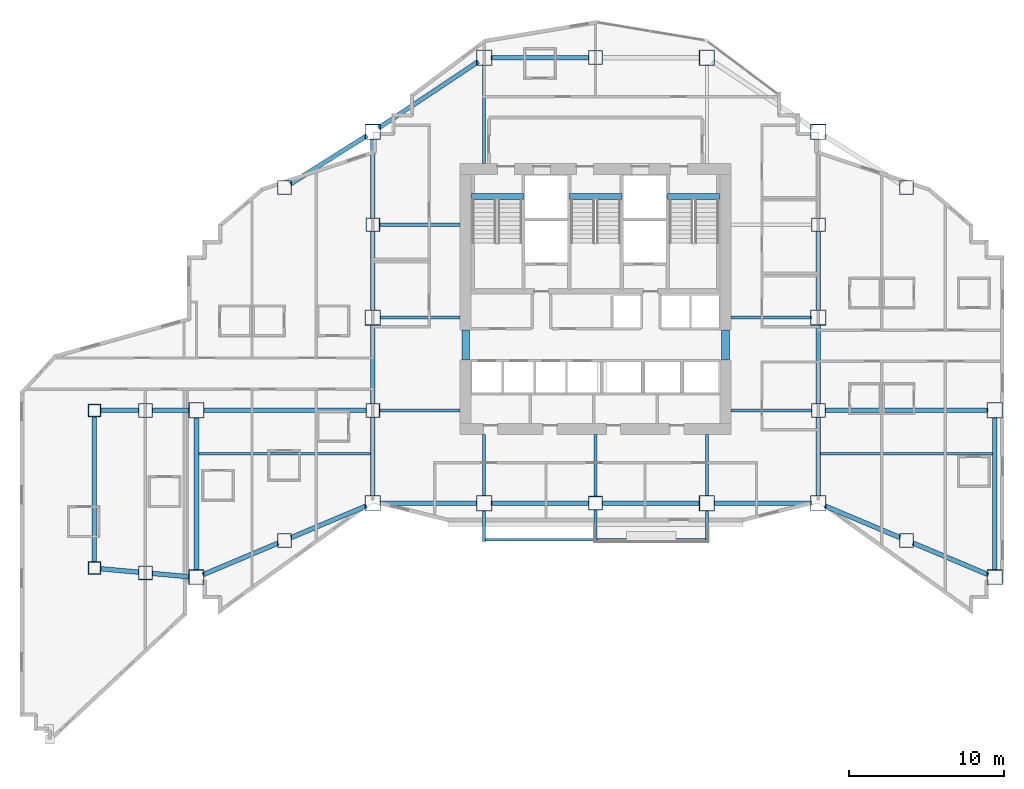
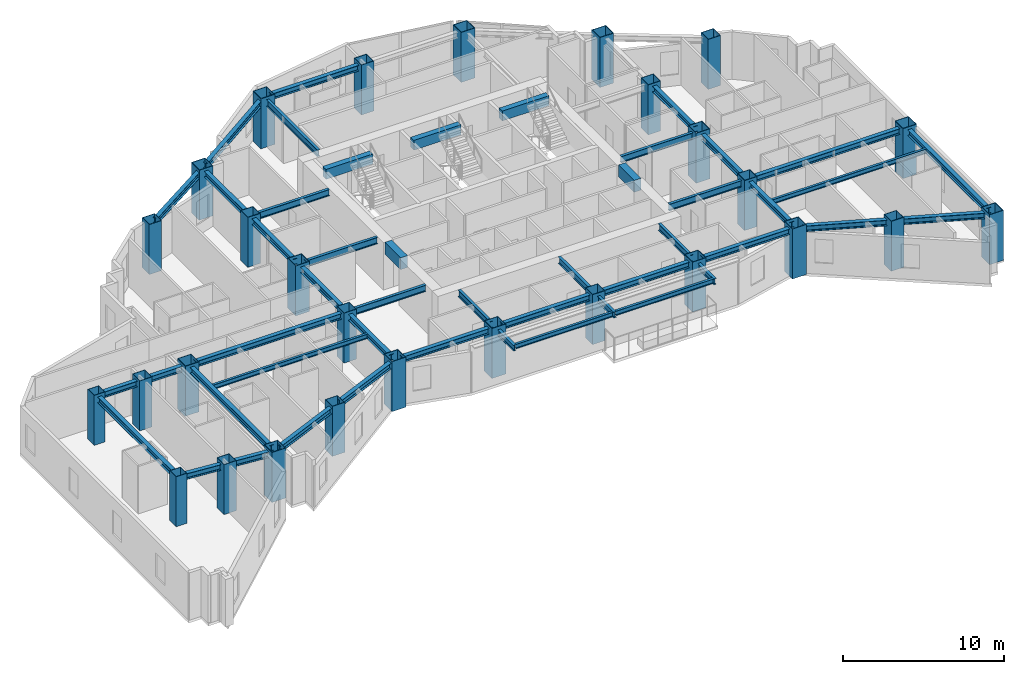
# One storey, part 1 of 15: 48 beams, 28 columns.
"""IFC4 building model written with IfcOpenShell, lengths in metres."""

from ifc_helpers import new_model, si_unit, direction, frame, origin, origin_2d, place, context, subcontext, project, spatial, rectangle, hollow_rectangle, i_section, extrude, material, material_profile, profile_set, type_object, element, save


model = new_model("IFC4")

# Units and contexts
model_context = context("Model", 3, precision=1e-05, world=origin(), true_north=direction((0.0, 1.0)))
body_context = subcontext(model_context, "Body", "Model", "MODEL_VIEW")
ifc_project = project(units=[si_unit("LENGTHUNIT", "METRE"), si_unit("AREAUNIT", "SQUARE_METRE"), si_unit("VOLUMEUNIT", "CUBIC_METRE"), si_unit("PLANEANGLEUNIT", "RADIAN"), si_unit("MASSUNIT", "GRAM", prefix="KILO")], contexts=[model_context])

# Site, building, storey
site_placement = place(None, origin())
site = spatial("IfcSite", under=ifc_project, at=site_placement, CompositionType="ELEMENT")
building_placement = place(site_placement, origin())
building = spatial("IfcBuilding", under=site, at=building_placement, Name="Haolan Belvedere Tower", CompositionType="ELEMENT")
storey_placement = place(building_placement, frame((0.0, 0.0, 152.39990234375)))
storey = spatial("IfcBuildingStorey", under=building, at=storey_placement, Name="L38", CompositionType="ELEMENT", Elevation=152.39990234375)

# Columns
ifc_material_1 = material(Name="Steel Q420GJC", Category="steel")
ifc_material_profile_1 = material_profile(ifc_material_1, hollow_rectangle(XDim=1.0, YDim=1.0, WallThickness=0.0380859375, at=origin_2d()), Name="Steel Q420GJC")
ifc_profile_set_1 = profile_set([ifc_material_profile_1], Name="Steel Q420GJC")
column_type_1 = type_object("IfcColumnType", Name="COL-BOX1000x1000x38", PredefinedType="COLUMN", material=ifc_profile_set_1)
for number, where, z_axis, x_axis, name in (
    (1, (24.0, 21.60009765625, 0.0), (0.0, 0.0, 1.0), (1.0, 0.0, 0.0), "L38 column MC-T3-SW (BOX1000x1000x38)"),
    (2, (24.0, 33.60009765625, 0.0), (0.0, 0.0, 1.0), (1.0, 0.0, 0.0), "L38 column MC-T3-MW (BOX1000x1000x38)"),
    (3, (24.0, 45.60009765625, 0.0), (0.0, 0.0, 1.0), (1.0, 0.0, 0.0), "L38 column MC-T3-NW (BOX1000x1000x38)"),
    (4, (52.800048828125, 21.60009765625, 0.0), (0.0, 0.0, 1.0), (1.0, 0.0, 0.0), "L38 column MC-T3-SE (BOX1000x1000x38)"),
    (5, (52.800048828125, 33.60009765625, 0.0), (0.0, 0.0, 1.0), (1.0, 0.0, 0.0), "L38 column MC-T3-ME (BOX1000x1000x38)"),
    (6, (52.800048828125, 45.60009765625, 0.0), (0.0, 0.0, 1.0), (1.0, 0.0, 0.0), "L38 column MC-T3-NE (BOX1000x1000x38)"),
    (7, (31.199951171875, 21.60009765625, 0.0), (0.0, 0.0, 1.0), (1.0, 0.0, 0.0), "L38 column MC-T3-S1 (BOX1000x1000x38)"),
    (8, (45.60009765625, 21.60009765625, 0.0), (0.0, 0.0, 1.0), (1.0, 0.0, 0.0), "L38 column MC-T3-S2 (BOX1000x1000x38)"),
    (9, (31.199951171875, 50.39990234375, 0.0), (0.0, 0.0, 1.0), (1.0, 0.0, 0.0), "L38 column MC-T3-N1 (BOX1000x1000x38)"),
    (10, (45.60009765625, 50.39990234375, 0.0), (0.0, 0.0, 1.0), (1.0, 0.0, 0.0), "L38 column MC-T3-N2 (BOX1000x1000x38)"),
    (11, (12.60009765625, 16.800048828125, 0.0), (0.0, 0.0, 1.0), (1.0, 0.0, 0.0), "L38 column MC-T2-SW (BOX1000x1000x38)"),
    (12, (12.60009765625, 27.60009765625, 0.0), (0.0, 0.0, 1.0), (1.0, 0.0, 0.0), "L38 column MC-T2-MW (BOX1000x1000x38)"),
    (13, (64.199951171875, 16.800048828125, 0.0), (0.0, 0.0, 1.0), (1.0, 0.0, 0.0), "L38 column MC-T4-SE (BOX1000x1000x38)"),
    (14, (64.199951171875, 27.60009765625, 0.0), (0.0, 0.0, 1.0), (1.0, 0.0, 0.0), "L38 column MC-T4-ME (BOX1000x1000x38)"),
):
    element("IfcColumn", number, at=place(storey_placement, frame(where, z_axis=z_axis, x_axis=x_axis)), inside=storey, type_object=column_type_1, Name=name, PredefinedType="COLUMN", context=body_context, shape_type="SweptSolid", body=[
        extrude(hollow_rectangle(XDim=1.0, YDim=1.0, WallThickness=0.0380859375, at=origin_2d()), origin(), (0.0, 0.0, 1.0), 3.800048828125),
    ])
ifc_material_2 = material(Name="Steel Q390GJC", Category="steel")
ifc_material_profile_2 = material_profile(ifc_material_2, hollow_rectangle(XDim=0.800048828125, YDim=0.800048828125, WallThickness=0.030029296875, at=origin_2d()), Name="Steel Q390GJC")
ifc_profile_set_2 = profile_set([ifc_material_profile_2], Name="Steel Q390GJC")
column_type_2 = type_object("IfcColumnType", Name="COL-BOX800x800x30", PredefinedType="COLUMN", material=ifc_profile_set_2)
for number, where, z_axis, x_axis, name in (
    (15, (6.0, 17.39990234375, 0.0), (0.0, 0.0, 1.0), (1.0, 0.0, 0.0), "L38 column MC-T1-SW (BOX800x800x30)"),
    (16, (6.0, 27.60009765625, 0.0), (0.0, 0.0, 1.0), (1.0, 0.0, 0.0), "L38 column MC-T1-NW (BOX800x800x30)"),
):
    element("IfcColumn", number, at=place(storey_placement, frame(where, z_axis=z_axis, x_axis=x_axis)), inside=storey, type_object=column_type_2, Name=name, PredefinedType="COLUMN", context=body_context, shape_type="SweptSolid", body=[
        extrude(hollow_rectangle(XDim=0.800048828125, YDim=0.800048828125, WallThickness=0.030029296875, at=origin_2d()), origin(), (0.0, 0.0, 1.0), 3.800048828125),
    ])
ifc_material_profile_3 = material_profile(ifc_material_2, hollow_rectangle(XDim=0.89990234375, YDim=0.89990234375, WallThickness=0.033935546875, at=origin_2d()), Name="Steel Q390GJC")
ifc_profile_set_3 = profile_set([ifc_material_profile_3], Name="Steel Q390GJC")
column_type_3 = type_object("IfcColumnType", Name="COL-BOX900x900x34", PredefinedType="COLUMN", material=ifc_profile_set_3)
for number, where, z_axis, x_axis, name in (
    (17, (24.0, 27.60009765625, 0.0), (0.0, 0.0, 1.0), (1.0, 0.0, 0.0), "L38 column TC-T3-W1 (BOX900x900x34)"),
    (18, (24.0, 39.60009765625, 0.0), (0.0, 0.0, 1.0), (1.0, 0.0, 0.0), "L38 column TC-T3-W2 (BOX900x900x34)"),
    (19, (52.800048828125, 27.60009765625, 0.0), (0.0, 0.0, 1.0), (1.0, 0.0, 0.0), "L38 column TC-T3-E1 (BOX900x900x34)"),
    (20, (52.800048828125, 39.60009765625, 0.0), (0.0, 0.0, 1.0), (1.0, 0.0, 0.0), "L38 column TC-T3-E2 (BOX900x900x34)"),
    (21, (38.39990234375, 21.60009765625, 0.0), (0.0, 0.0, 1.0), (1.0, 0.0, 0.0), "L38 column TC-T3-SM (BOX900x900x34)"),
    (22, (38.39990234375, 50.39990234375, 0.0), (0.0, 0.0, 1.0), (1.0, 0.0, 0.0), "L38 column TC-T3-NM (BOX900x900x34)"),
    (23, (18.300048828125, 19.199951171875, 0.0), (0.0, 0.0, 1.0), (1.0, 0.0, 0.0), "L38 column TC-T2-S1 (BOX900x900x34)"),
    (24, (18.300048828125, 42.0, 0.0), (0.0, 0.0, 1.0), (1.0, 0.0, 0.0), "L38 column TC-T2-N1 (BOX900x900x34)"),
    (25, (58.5, 19.199951171875, 0.0), (0.0, 0.0, 1.0), (1.0, 0.0, 0.0), "L38 column TC-T4-S1 (BOX900x900x34)"),
    (26, (58.5, 42.0, 0.0), (0.0, 0.0, 1.0), (1.0, 0.0, 0.0), "L38 column TC-T4-N1 (BOX900x900x34)"),
    (27, (9.300048828125, 17.10009765625, 0.0), (0.0, 0.0, 1.0), (1.0, 0.0, 0.0), "L38 column TC-T1-M1 (BOX900x900x34)"),
    (28, (9.300048828125, 27.60009765625, 0.0), (0.0, 0.0, 1.0), (1.0, 0.0, 0.0), "L38 column TC-T1-M2 (BOX900x900x34)"),
):
    element("IfcColumn", number, at=place(storey_placement, frame(where, z_axis=z_axis, x_axis=x_axis)), inside=storey, type_object=column_type_3, Name=name, PredefinedType="COLUMN", context=body_context, shape_type="SweptSolid", body=[
        extrude(hollow_rectangle(XDim=0.89990234375, YDim=0.89990234375, WallThickness=0.033935546875, at=origin_2d()), origin(), (0.0, 0.0, 1.0), 3.800048828125),
    ])

# Beams
ifc_material_3 = material(Name="Steel Q355B", Category="steel")
ifc_material_profile_4 = material_profile(ifc_material_3, i_section(OverallWidth=0.300048828125, OverallDepth=0.43994140625, WebThickness=0.010986328125, FlangeThickness=0.01806640625, FilletRadius=0.02392578125, at=origin_2d()), Name="Steel Q355B")
ifc_profile_set_4 = profile_set([ifc_material_profile_4], Name="Steel Q355B")
beam_type_1 = type_object("IfcBeamType", Name="BM-HM440x300x11x18", PredefinedType="SPANDREL", material=ifc_profile_set_4)
for number, where, z_axis, x_axis, name in (
    (29, (24.0, 22.050048828125, 3.380126953125), (0.0, 1.0, 0.0), (-1.0, 0.0, 0.0), "L38 spandrel girder MC-T3-SW-TC-T3-W1"),
    (30, (24.0, 28.050048828125, 3.380126953125), (0.0, 1.0, 0.0), (-1.0, 0.0, 0.0), "L38 spandrel girder TC-T3-W1-MC-T3-MW"),
    (31, (24.0, 34.050048828125, 3.380126953125), (0.0, 1.0, 0.0), (-1.0, 0.0, 0.0), "L38 spandrel girder MC-T3-MW-TC-T3-W2"),
    (32, (24.0, 40.050048828125, 3.380126953125), (0.0, 1.0, 0.0), (-1.0, 0.0, 0.0), "L38 spandrel girder TC-T3-W2-MC-T3-NW"),
    (33, (52.800048828125, 22.050048828125, 3.380126953125), (0.0, 1.0, 0.0), (-1.0, 0.0, 0.0), "L38 spandrel girder MC-T3-SE-TC-T3-E1"),
    (34, (52.800048828125, 28.050048828125, 3.380126953125), (0.0, 1.0, 0.0), (-1.0, 0.0, 0.0), "L38 spandrel girder TC-T3-E1-MC-T3-ME"),
    (35, (52.800048828125, 34.050048828125, 3.380126953125), (0.0, 1.0, 0.0), (-1.0, 0.0, 0.0), "L38 spandrel girder MC-T3-ME-TC-T3-E2"),
):
    element("IfcBeam", number, at=place(storey_placement, frame(where, z_axis=z_axis, x_axis=x_axis)), inside=storey, type_object=beam_type_1, Name=name, PredefinedType="SPANDREL", context=body_context, shape_type="SweptSolid", body=[
        extrude(i_section(OverallWidth=0.300048828125, OverallDepth=0.43994140625, WebThickness=0.010986328125, FlangeThickness=0.01806640625, FilletRadius=0.02392578125, at=origin_2d()), origin(), (0.0, 0.0, 1.0), 5.099853515625),
    ])
for number, where, z_axis, x_axis, name in (
    (36, (24.449951171875, 21.60009765625, 3.380126953125), (1.0, 0.0, 0.0), (0.0, 1.0, 0.0), "L38 spandrel girder MC-T3-SW-MC-T3-S1"),
    (37, (31.64990234375, 21.60009765625, 3.380126953125), (1.0, 0.0, 0.0), (0.0, 1.0, 0.0), "L38 spandrel girder MC-T3-S1-TC-T3-SM"),
):
    element("IfcBeam", number, at=place(storey_placement, frame(where, z_axis=z_axis, x_axis=x_axis)), inside=storey, type_object=beam_type_1, Name=name, PredefinedType="SPANDREL", context=body_context, shape_type="SweptSolid", body=[
        extrude(i_section(OverallWidth=0.300048828125, OverallDepth=0.43994140625, WebThickness=0.010986328125, FlangeThickness=0.01806640625, FilletRadius=0.02392578125, at=origin_2d()), origin(), (0.0, 0.0, 1.0), 6.300048828125),
    ])
beam_1_placement = place(storey_placement, frame((38.85009765625, 21.60009765625, 3.380126953125), z_axis=(1.0, 0.0, 0.0), x_axis=(0.0, 1.0, 0.0)))
element("IfcBeam", 38, at=beam_1_placement, inside=storey, type_object=beam_type_1, Name="L38 spandrel girder TC-T3-SM-MC-T3-S2", PredefinedType="SPANDREL", context=body_context, shape_type="SweptSolid", body=[
    extrude(i_section(OverallWidth=0.300048828125, OverallDepth=0.43994140625, WebThickness=0.010986328125, FlangeThickness=0.01806640625, FilletRadius=0.02392578125, at=origin_2d()), origin(), (0.0, 0.0, 1.0), 6.2998046875),
])
beam_2_placement = place(storey_placement, frame((46.050048828125, 21.60009765625, 3.380126953125), z_axis=(1.0, 0.0, 0.0), x_axis=(0.0, 1.0, 0.0)))
element("IfcBeam", 39, at=beam_2_placement, inside=storey, type_object=beam_type_1, Name="L38 spandrel girder MC-T3-S2-MC-T3-SE", PredefinedType="SPANDREL", context=body_context, shape_type="SweptSolid", body=[
    extrude(i_section(OverallWidth=0.300048828125, OverallDepth=0.43994140625, WebThickness=0.010986328125, FlangeThickness=0.01806640625, FilletRadius=0.02392578125, at=origin_2d()), origin(), (0.0, 0.0, 1.0), 6.300048828125),
])
beam_3_placement = place(storey_placement, frame((24.37451171875, 45.849609375, 3.380126953125), z_axis=(0.832050294338, 0.554700196225, 0.0), x_axis=(-0.554700196225, 0.832050294338, 0.0)))
element("IfcBeam", 40, at=beam_3_placement, inside=storey, type_object=beam_type_1, Name="L38 spandrel girder MC-T3-NW-MC-T3-N1", PredefinedType="SPANDREL", context=body_context, shape_type="SweptSolid", body=[
    extrude(i_section(OverallWidth=0.300048828125, OverallDepth=0.43994140625, WebThickness=0.010986328125, FlangeThickness=0.01806640625, FilletRadius=0.02392578125, at=origin_2d()), origin(), (0.0, 0.0, 1.0), 7.75341796875),
])
beam_4_placement = place(storey_placement, frame((31.64990234375, 50.39990234375, 3.380126953125), z_axis=(1.0, 0.0, 0.0), x_axis=(0.0, 1.0, 0.0)))
element("IfcBeam", 41, at=beam_4_placement, inside=storey, type_object=beam_type_1, Name="L38 spandrel girder MC-T3-N1-TC-T3-NM", PredefinedType="SPANDREL", context=body_context, shape_type="SweptSolid", body=[
    extrude(i_section(OverallWidth=0.300048828125, OverallDepth=0.43994140625, WebThickness=0.010986328125, FlangeThickness=0.01806640625, FilletRadius=0.02392578125, at=origin_2d()), origin(), (0.0, 0.0, 1.0), 6.300048828125),
])
beam_5_placement = place(storey_placement, frame((12.60009765625, 17.25, 3.380126953125), z_axis=(0.0, 1.0, 0.0), x_axis=(-1.0, 0.0, 0.0)))
element("IfcBeam", 42, at=beam_5_placement, inside=storey, type_object=beam_type_1, Name="L38 spandrel girder MC-T2-SW-MC-T2-MW", PredefinedType="SPANDREL", context=body_context, shape_type="SweptSolid", body=[
    extrude(i_section(OverallWidth=0.300048828125, OverallDepth=0.43994140625, WebThickness=0.010986328125, FlangeThickness=0.01806640625, FilletRadius=0.02392578125, at=origin_2d()), origin(), (0.0, 0.0, 1.0), 9.89990234375),
])
beam_6_placement = place(storey_placement, frame((13.0146484375, 16.974609375, 3.380126953125), z_axis=(0.921635375138, 0.388057000058, 0.0), x_axis=(-0.388057000058, 0.921635375138, 0.0)))
element("IfcBeam", 43, at=beam_6_placement, inside=storey, type_object=beam_type_1, Name="L38 spandrel girder MC-T2-SW-TC-T2-S1", PredefinedType="SPANDREL", context=body_context, shape_type="SweptSolid", body=[
    extrude(i_section(OverallWidth=0.300048828125, OverallDepth=0.43994140625, WebThickness=0.010986328125, FlangeThickness=0.01806640625, FilletRadius=0.02392578125, at=origin_2d()), origin(), (0.0, 0.0, 1.0), 5.28466796875),
])
beam_7_placement = place(storey_placement, frame((18.71484375, 19.37451171875, 3.380126953125), z_axis=(0.92162841793, 0.388073523014, 0.0), x_axis=(-0.388073523014, 0.92162841793, 0.0)))
element("IfcBeam", 44, at=beam_7_placement, inside=storey, type_object=beam_type_1, Name="L38 spandrel girder TC-T2-S1-MC-T3-SW", PredefinedType="SPANDREL", context=body_context, shape_type="SweptSolid", body=[
    extrude(i_section(OverallWidth=0.300048828125, OverallDepth=0.43994140625, WebThickness=0.010986328125, FlangeThickness=0.01806640625, FilletRadius=0.02392578125, at=origin_2d()), origin(), (0.0, 0.0, 1.0), 5.284423828125),
])
beam_8_placement = place(storey_placement, frame((18.680419921875, 42.240234375, 3.380126953125), z_axis=(0.845497840649, 0.533978839898, 0.0), x_axis=(-0.533978839898, 0.845497840649, 0.0)))
element("IfcBeam", 45, at=beam_8_placement, inside=storey, type_object=beam_type_1, Name="L38 spandrel girder TC-T2-N1-MC-T3-NW", PredefinedType="SPANDREL", context=body_context, shape_type="SweptSolid", body=[
    extrude(i_section(OverallWidth=0.300048828125, OverallDepth=0.43994140625, WebThickness=0.010986328125, FlangeThickness=0.01806640625, FilletRadius=0.02392578125, at=origin_2d()), origin(), (0.0, 0.0, 1.0), 5.841796875),
])
beam_9_placement = place(storey_placement, frame((13.050048828125, 27.60009765625, 3.380126953125), z_axis=(1.0, 0.0, 0.0), x_axis=(0.0, 1.0, 0.0)))
element("IfcBeam", 46, at=beam_9_placement, inside=storey, type_object=beam_type_1, Name="L38 spandrel girder MC-T2-MW-TC-T3-W1", PredefinedType="SPANDREL", context=body_context, shape_type="SweptSolid", body=[
    extrude(i_section(OverallWidth=0.300048828125, OverallDepth=0.43994140625, WebThickness=0.010986328125, FlangeThickness=0.01806640625, FilletRadius=0.02392578125, at=origin_2d()), origin(), (0.0, 0.0, 1.0), 10.5),
])
beam_10_placement = place(storey_placement, frame((64.199951171875, 17.25, 3.380126953125), z_axis=(0.0, 1.0, 0.0), x_axis=(-1.0, 0.0, 0.0)))
element("IfcBeam", 47, at=beam_10_placement, inside=storey, type_object=beam_type_1, Name="L38 spandrel girder MC-T4-SE-MC-T4-ME", PredefinedType="SPANDREL", context=body_context, shape_type="SweptSolid", body=[
    extrude(i_section(OverallWidth=0.300048828125, OverallDepth=0.43994140625, WebThickness=0.010986328125, FlangeThickness=0.01806640625, FilletRadius=0.02392578125, at=origin_2d()), origin(), (0.0, 0.0, 1.0), 9.89990234375),
])
for number, where, z_axis, x_axis, name in (
    (48, (53.21484375, 21.42529296875, 3.380126953125), (0.92162841793, -0.388073523014, 0.0), (0.388073523014, 0.92162841793, 0.0), "L38 spandrel girder MC-T3-SE-TC-T4-S1"),
    (49, (58.914794921875, 19.025390625, 3.380126953125), (0.92162841793, -0.388073523014, 0.0), (0.388073523014, 0.92162841793, 0.0), "L38 spandrel girder TC-T4-S1-MC-T4-SE"),
):
    element("IfcBeam", number, at=place(storey_placement, frame(where, z_axis=z_axis, x_axis=x_axis)), inside=storey, type_object=beam_type_1, Name=name, PredefinedType="SPANDREL", context=body_context, shape_type="SweptSolid", body=[
        extrude(i_section(OverallWidth=0.300048828125, OverallDepth=0.43994140625, WebThickness=0.010986328125, FlangeThickness=0.01806640625, FilletRadius=0.02392578125, at=origin_2d()), origin(), (0.0, 0.0, 1.0), 5.284423828125),
    ])
beam_11_placement = place(storey_placement, frame((53.25, 27.60009765625, 3.380126953125), z_axis=(1.0, 0.0, 0.0), x_axis=(0.0, 1.0, 0.0)))
element("IfcBeam", 50, at=beam_11_placement, inside=storey, type_object=beam_type_1, Name="L38 spandrel girder TC-T3-E1-MC-T4-ME", PredefinedType="SPANDREL", context=body_context, shape_type="SweptSolid", body=[
    extrude(i_section(OverallWidth=0.300048828125, OverallDepth=0.43994140625, WebThickness=0.010986328125, FlangeThickness=0.01806640625, FilletRadius=0.02392578125, at=origin_2d()), origin(), (0.0, 0.0, 1.0), 10.5),
])
beam_12_placement = place(storey_placement, frame((6.0, 17.800048828125, 3.380126953125), z_axis=(0.0, 1.0, 0.0), x_axis=(-1.0, 0.0, 0.0)))
element("IfcBeam", 51, at=beam_12_placement, inside=storey, type_object=beam_type_1, Name="L38 spandrel girder MC-T1-SW-MC-T1-NW", PredefinedType="SPANDREL", context=body_context, shape_type="SweptSolid", body=[
    extrude(i_section(OverallWidth=0.300048828125, OverallDepth=0.43994140625, WebThickness=0.010986328125, FlangeThickness=0.01806640625, FilletRadius=0.02392578125, at=origin_2d()), origin(), (0.0, 0.0, 1.0), 9.39990234375),
])
beam_13_placement = place(storey_placement, frame((6.3984375, 17.36376953125, 3.380126953125), z_axis=(0.995889143855, -0.090580423672, 0.0), x_axis=(0.090580423672, 0.995889143855, 0.0)))
element("IfcBeam", 52, at=beam_13_placement, inside=storey, type_object=beam_type_1, Name="L38 spandrel girder MC-T1-SW-TC-T1-M1", PredefinedType="SPANDREL", context=body_context, shape_type="SweptSolid", body=[
    extrude(i_section(OverallWidth=0.300048828125, OverallDepth=0.43994140625, WebThickness=0.010986328125, FlangeThickness=0.01806640625, FilletRadius=0.02392578125, at=origin_2d()), origin(), (0.0, 0.0, 1.0), 2.46337890625),
])
beam_14_placement = place(storey_placement, frame((9.748046875, 17.059326171875, 3.380126953125), z_axis=(0.9958940355, -0.090526626221, 0.0), x_axis=(0.090526626221, 0.9958940355, 0.0)))
element("IfcBeam", 53, at=beam_14_placement, inside=storey, type_object=beam_type_1, Name="L38 spandrel girder TC-T1-M1-MC-T2-SW", PredefinedType="SPANDREL", context=body_context, shape_type="SweptSolid", body=[
    extrude(i_section(OverallWidth=0.300048828125, OverallDepth=0.43994140625, WebThickness=0.010986328125, FlangeThickness=0.01806640625, FilletRadius=0.02392578125, at=origin_2d()), origin(), (0.0, 0.0, 1.0), 2.413818359375),
])
beam_15_placement = place(storey_placement, frame((6.39990234375, 27.60009765625, 3.380126953125), z_axis=(1.0, 0.0, 0.0), x_axis=(0.0, 1.0, 0.0)))
element("IfcBeam", 54, at=beam_15_placement, inside=storey, type_object=beam_type_1, Name="L38 spandrel girder MC-T1-NW-TC-T1-M2", PredefinedType="SPANDREL", context=body_context, shape_type="SweptSolid", body=[
    extrude(i_section(OverallWidth=0.300048828125, OverallDepth=0.43994140625, WebThickness=0.010986328125, FlangeThickness=0.01806640625, FilletRadius=0.02392578125, at=origin_2d()), origin(), (0.0, 0.0, 1.0), 2.4501953125),
])
beam_16_placement = place(storey_placement, frame((9.75, 27.60009765625, 3.380126953125), z_axis=(1.0, 0.0, 0.0), x_axis=(0.0, 1.0, 0.0)))
element("IfcBeam", 55, at=beam_16_placement, inside=storey, type_object=beam_type_1, Name="L38 spandrel girder TC-T1-M2-MC-T2-MW", PredefinedType="SPANDREL", context=body_context, shape_type="SweptSolid", body=[
    extrude(i_section(OverallWidth=0.300048828125, OverallDepth=0.43994140625, WebThickness=0.010986328125, FlangeThickness=0.01806640625, FilletRadius=0.02392578125, at=origin_2d()), origin(), (0.0, 0.0, 1.0), 2.39990234375),
])
ifc_material_profile_5 = material_profile(ifc_material_3, i_section(OverallWidth=0.175048828125, OverallDepth=0.35009765625, WebThickness=0.007080078125, FlangeThickness=0.010986328125, FilletRadius=0.012939453125, at=origin_2d()), Name="Steel Q355B")
ifc_profile_set_5 = profile_set([ifc_material_profile_5], Name="Steel Q355B")
beam_type_2 = type_object("IfcBeamType", Name="BM-HN350x175x7x11", PredefinedType="JOIST", material=ifc_profile_set_5)
for number, where, z_axis, x_axis, name in (
    (56, (12.75, 24.800048828125, 3.425048828125), (1.0, 0.0, 0.0), (0.0, 1.0, 0.0), "L38 west wing floor joist 1"),
    (57, (52.949951171875, 24.800048828125, 3.425048828125), (1.0, 0.0, 0.0), (0.0, 1.0, 0.0), "L38 east wing floor joist 1"),
):
    element("IfcBeam", number, at=place(storey_placement, frame(where, z_axis=z_axis, x_axis=x_axis)), inside=storey, type_object=beam_type_2, Name=name, PredefinedType="JOIST", context=body_context, shape_type="SweptSolid", body=[
        extrude(i_section(OverallWidth=0.175048828125, OverallDepth=0.35009765625, WebThickness=0.007080078125, FlangeThickness=0.010986328125, FilletRadius=0.012939453125, at=origin_2d()), origin(), (0.0, 0.0, 1.0), 11.10009765625),
    ])
for number, where, z_axis, x_axis, name in (
    (58, (31.300048828125, 19.239990234375, 3.39501953125), (1.0, 0.0, 0.0), (0.0, 1.0, 0.0), "L39 tree-balcony front trimmer beam 1"),
    (59, (38.5, 19.239990234375, 3.39501953125), (1.0, 0.0, 0.0), (0.0, 1.0, 0.0), "L39 tree-balcony front trimmer beam 2"),
):
    element("IfcBeam", number, at=place(storey_placement, frame(where, z_axis=z_axis, x_axis=x_axis)), inside=storey, type_object=beam_type_2, Name=name, PredefinedType="BEAM", context=body_context, shape_type="SweptSolid", body=[
        extrude(i_section(OverallWidth=0.175048828125, OverallDepth=0.35009765625, WebThickness=0.007080078125, FlangeThickness=0.010986328125, FilletRadius=0.012939453125, at=origin_2d()), origin(), (0.0, 0.0, 1.0), 7.0),
    ])
ifc_material_profile_6 = material_profile(ifc_material_3, i_section(OverallWidth=0.199951171875, OverallDepth=0.449951171875, WebThickness=0.009033203125, FlangeThickness=0.013916015625, FilletRadius=0.01611328125, at=origin_2d()), Name="Steel Q355B")
ifc_profile_set_6 = profile_set([ifc_material_profile_6], Name="Steel Q355B")
beam_type_3 = type_object("IfcBeamType", Name="BM-HN450x200x9x14", PredefinedType="BEAM", material=ifc_profile_set_6)
beam_17_placement = place(storey_placement, frame((31.199951171875, 21.10009765625, 3.34521484375), z_axis=(0.0, -1.0, 0.0), x_axis=(1.0, 0.0, 0.0)))
element("IfcBeam", 60, at=beam_17_placement, inside=storey, type_object=beam_type_3, Name="L39 tree-balcony column cantilever MC-T3-S1", PredefinedType="BEAM", context=body_context, shape_type="SweptSolid", body=[
    extrude(i_section(OverallWidth=0.199951171875, OverallDepth=0.449951171875, WebThickness=0.009033203125, FlangeThickness=0.013916015625, FilletRadius=0.01611328125, at=origin_2d()), origin(), (0.0, 0.0, 1.0), 1.960205078125),
])
beam_18_placement = place(storey_placement, frame((38.39990234375, 21.14990234375, 3.34521484375), z_axis=(0.0, -1.0, 0.0), x_axis=(1.0, 0.0, 0.0)))
element("IfcBeam", 61, at=beam_18_placement, inside=storey, type_object=beam_type_3, Name="L39 tree-balcony column cantilever TC-T3-SM", PredefinedType="BEAM", context=body_context, shape_type="SweptSolid", body=[
    extrude(i_section(OverallWidth=0.199951171875, OverallDepth=0.449951171875, WebThickness=0.009033203125, FlangeThickness=0.013916015625, FilletRadius=0.01611328125, at=origin_2d()), origin(), (0.0, 0.0, 1.0), 2.010009765625),
])
beam_19_placement = place(storey_placement, frame((45.60009765625, 21.10009765625, 3.34521484375), z_axis=(0.0, -1.0, 0.0), x_axis=(1.0, 0.0, 0.0)))
element("IfcBeam", 62, at=beam_19_placement, inside=storey, type_object=beam_type_3, Name="L39 tree-balcony column cantilever MC-T3-S2", PredefinedType="BEAM", context=body_context, shape_type="SweptSolid", body=[
    extrude(i_section(OverallWidth=0.199951171875, OverallDepth=0.449951171875, WebThickness=0.009033203125, FlangeThickness=0.013916015625, FilletRadius=0.01611328125, at=origin_2d()), origin(), (0.0, 0.0, 1.0), 1.960205078125),
])
ifc_material_profile_7 = material_profile(ifc_material_3, i_section(OverallWidth=0.199951171875, OverallDepth=0.5, WebThickness=0.010009765625, FlangeThickness=0.01611328125, FilletRadius=0.02001953125, at=origin_2d()), Name="Steel Q355B")
ifc_profile_set_7 = profile_set([ifc_material_profile_7], Name="Steel Q355B")
beam_type_4 = type_object("IfcBeamType", Name="BM-HN500x200x10x16", PredefinedType="BEAM", material=ifc_profile_set_7)
for number, where, z_axis, x_axis, name in (
    (63, (24.449951171875, 33.60009765625, 3.35009765625), (1.0, 0.0, 0.0), (0.0, 1.0, 0.0), "L38 core tie beam from MC-T3-MW"),
    (64, (24.449951171875, 27.60009765625, 3.35009765625), (1.0, 0.0, 0.0), (0.0, 1.0, 0.0), "L38 core tie beam from TC-T3-W1"),
    (65, (24.449951171875, 39.60009765625, 3.35009765625), (1.0, 0.0, 0.0), (0.0, 1.0, 0.0), "L38 core tie beam from TC-T3-W2"),
):
    element("IfcBeam", number, at=place(storey_placement, frame(where, z_axis=z_axis, x_axis=x_axis)), inside=storey, type_object=beam_type_4, Name=name, PredefinedType="BEAM", context=body_context, shape_type="SweptSolid", body=[
        extrude(i_section(OverallWidth=0.199951171875, OverallDepth=0.5, WebThickness=0.010009765625, FlangeThickness=0.01611328125, FilletRadius=0.02001953125, at=origin_2d()), origin(), (0.0, 0.0, 1.0), 5.199951171875),
    ])
for number, where, z_axis, x_axis, name in (
    (66, (52.35009765625, 33.60009765625, 3.35009765625), (-1.0, 0.0, 0.0), (0.0, -1.0, 0.0), "L38 core tie beam from MC-T3-ME"),
    (67, (52.35009765625, 27.60009765625, 3.35009765625), (-1.0, 0.0, 0.0), (0.0, -1.0, 0.0), "L38 core tie beam from TC-T3-E1"),
):
    element("IfcBeam", number, at=place(storey_placement, frame(where, z_axis=z_axis, x_axis=x_axis)), inside=storey, type_object=beam_type_4, Name=name, PredefinedType="BEAM", context=body_context, shape_type="SweptSolid", body=[
        extrude(i_section(OverallWidth=0.199951171875, OverallDepth=0.5, WebThickness=0.010009765625, FlangeThickness=0.01611328125, FilletRadius=0.02001953125, at=origin_2d()), origin(), (0.0, 0.0, 1.0), 5.2001953125),
    ])
for number, where, z_axis, x_axis, name in (
    (68, (31.199951171875, 22.050048828125, 3.35009765625), (0.0, 1.0, 0.0), (-1.0, 0.0, 0.0), "L38 core tie beam from MC-T3-S1"),
    (69, (38.39990234375, 22.050048828125, 3.35009765625), (0.0, 1.0, 0.0), (-1.0, 0.0, 0.0), "L38 core tie beam from TC-T3-SM"),
    (70, (45.60009765625, 22.050048828125, 3.35009765625), (0.0, 1.0, 0.0), (-1.0, 0.0, 0.0), "L38 core tie beam from MC-T3-S2"),
):
    element("IfcBeam", number, at=place(storey_placement, frame(where, z_axis=z_axis, x_axis=x_axis)), inside=storey, type_object=beam_type_4, Name=name, PredefinedType="BEAM", context=body_context, shape_type="SweptSolid", body=[
        extrude(i_section(OverallWidth=0.199951171875, OverallDepth=0.5, WebThickness=0.010009765625, FlangeThickness=0.01611328125, FilletRadius=0.02001953125, at=origin_2d()), origin(), (0.0, 0.0, 1.0), 4.0),
    ])
beam_20_placement = place(storey_placement, frame((31.199951171875, 49.949951171875, 3.35009765625), z_axis=(0.0, -1.0, 0.0), x_axis=(1.0, 0.0, 0.0)))
element("IfcBeam", 71, at=beam_20_placement, inside=storey, type_object=beam_type_4, Name="L38 core tie beam from MC-T3-N1", PredefinedType="BEAM", context=body_context, shape_type="SweptSolid", body=[
    extrude(i_section(OverallWidth=0.199951171875, OverallDepth=0.5, WebThickness=0.010009765625, FlangeThickness=0.01611328125, FilletRadius=0.02001953125, at=origin_2d()), origin(), (0.0, 0.0, 1.0), 6.39990234375),
])
ifc_material_4 = material(Name="Concrete C50/60", Category="concrete")
ifc_material_profile_8 = material_profile(ifc_material_4, rectangle(XDim=0.39990234375, YDim=0.75, at=origin_2d()), Name="Concrete C50/60")
ifc_profile_set_8 = profile_set([ifc_material_profile_8], Name="Concrete C50/60")
beam_type_5 = type_object("IfcBeamType", Name="BM-RC400x750", PredefinedType="T_BEAM", material=ifc_profile_set_8)
beam_21_placement = place(storey_placement, frame((30.3798828125, 41.429931640625, 3.425048828125), z_axis=(1.0, 0.0, 0.0), x_axis=(0.0, 1.0, 0.0)))
element("IfcBeam", 72, at=beam_21_placement, inside=storey, type_object=beam_type_5, Name="L39 stair ST1 RC header trimmer beam", PredefinedType="BEAM", context=body_context, shape_type="SweptSolid", body=[
    extrude(rectangle(XDim=0.39990234375, YDim=0.75, at=origin_2d()), origin(), (0.0, 0.0, 1.0), 3.360107421875),
])
beam_22_placement = place(storey_placement, frame((36.699951171875, 41.429931640625, 3.425048828125), z_axis=(1.0, 0.0, 0.0), x_axis=(0.0, 1.0, 0.0)))
element("IfcBeam", 73, at=beam_22_placement, inside=storey, type_object=beam_type_5, Name="L39 stair ST3 RC header trimmer beam", PredefinedType="BEAM", context=body_context, shape_type="SweptSolid", body=[
    extrude(rectangle(XDim=0.39990234375, YDim=0.75, at=origin_2d()), origin(), (0.0, 0.0, 1.0), 3.400146484375),
])
beam_23_placement = place(storey_placement, frame((43.06005859375, 41.429931640625, 3.425048828125), z_axis=(1.0, 0.0, 0.0), x_axis=(0.0, 1.0, 0.0)))
element("IfcBeam", 74, at=beam_23_placement, inside=storey, type_object=beam_type_5, Name="L39 stair ST2 RC header trimmer beam", PredefinedType="BEAM", context=body_context, shape_type="SweptSolid", body=[
    extrude(rectangle(XDim=0.39990234375, YDim=0.75, at=origin_2d()), origin(), (0.0, 0.0, 1.0), 3.35986328125),
])
ifc_material_5 = material(Name="Concrete C60/75", Category="concrete")
ifc_material_profile_9 = material_profile(ifc_material_5, rectangle(XDim=0.5, YDim=0.89990234375, at=origin_2d()), Name="Concrete C60/75")
ifc_profile_set_9 = profile_set([ifc_material_profile_9], Name="Concrete C60/75")
beam_type_6 = type_object("IfcBeamType", Name="BM-RC500x900", PredefinedType="LINTEL", material=ifc_profile_set_9)
for number, where, z_axis, x_axis, name in (
    (75, (30.0, 30.85009765625, 3.150146484375), (0.0, 1.0, 0.0), (-1.0, 0.0, 0.0), "L38 west core coupling beam CB-01"),
    (76, (46.800048828125, 30.85009765625, 3.150146484375), (0.0, 1.0, 0.0), (-1.0, 0.0, 0.0), "L38 east core coupling beam CB-01"),
):
    element("IfcBeam", number, at=place(storey_placement, frame(where, z_axis=z_axis, x_axis=x_axis)), inside=storey, type_object=beam_type_6, Name=name, PredefinedType="LINTEL", context=body_context, shape_type="SweptSolid", body=[
        extrude(rectangle(XDim=0.5, YDim=0.89990234375, at=origin_2d()), origin(), (0.0, 0.0, 1.0), 1.949951171875),
    ])

save(model, "model.ifc")
